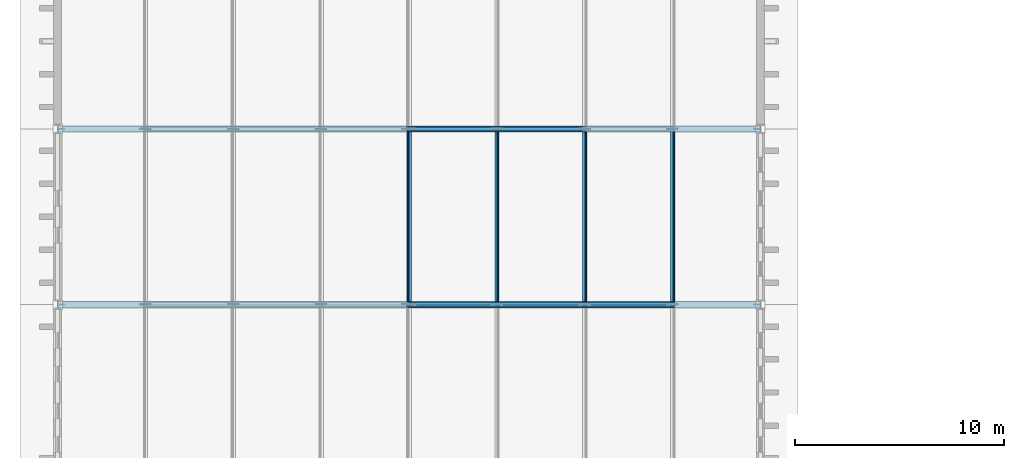
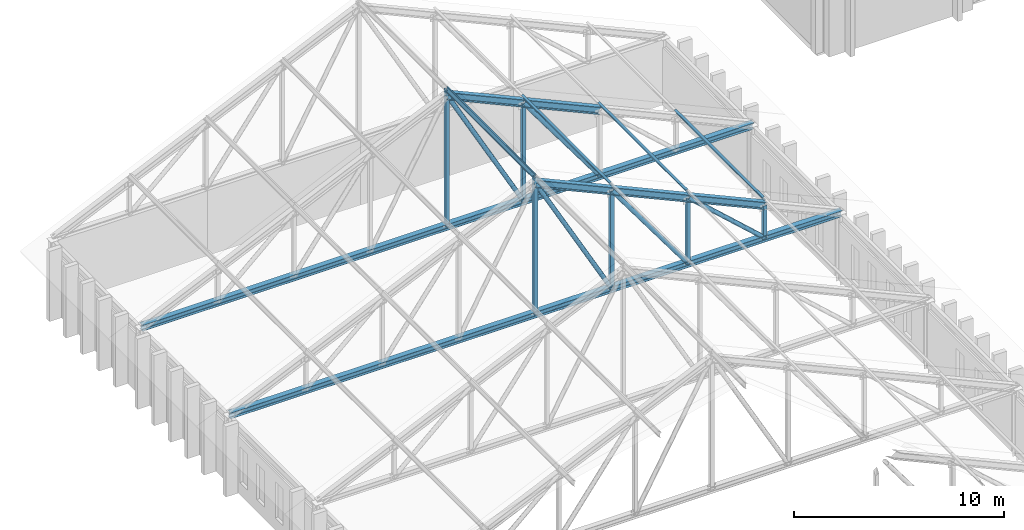
# One storey, part 23 of 110: 22 members.
"""IFC4 building model written with IfcOpenShell, lengths in metres."""

import ifcopenshell
import ifcopenshell.guid

model = None  # the IFC model being written
_history = None  # IfcOwnerHistory: only IFC2X3 demands one
_inside = {}  # id of a spatial element -> (the spatial element, [elements in it])
_under = {}  # id of a project, library or spatial element -> (it, [spatial elements below it])
_declared = {}  # id of a project -> (the project, [libraries it declares])
_typed = {}  # id of a type object -> (the type object, [elements of that type])
_made_of = {}  # id of a material, layer set ... -> (it, [elements and type objects made of it])


def new_model(schema):
    """Start an empty IFC model of exactly this schema.

    Asked for "IFC4X3", IfcOpenShell would pick the latest addendum, in which some entities
    have other attributes; the version numbers below select the first issue.
    IFC2X3 requires an IfcOwnerHistory on every rooted entity: one is made here for all.
    """
    global model, _history
    if schema == "IFC4X3":
        model = ifcopenshell.file(schema_version=(4, 3, 0, 0))
    else:
        model = ifcopenshell.file(schema=schema)
    _inside.clear()
    _under.clear()
    _declared.clear()
    _typed.clear()
    _made_of.clear()
    _history = None
    if model.schema == "IFC2X3":
        org = make("IfcOrganization", Name="unknown")
        user = make(
            "IfcPersonAndOrganization",
            ThePerson=make("IfcPerson", FamilyName="unknown"),
            TheOrganization=org,
        )
        app = make(
            "IfcApplication",
            ApplicationDeveloper=org,
            Version="unknown",
            ApplicationFullName="unknown",
            ApplicationIdentifier="unknown",
        )
        _history = make(
            "IfcOwnerHistory",
            OwningUser=user,
            OwningApplication=app,
            ChangeAction="ADDED",
            CreationDate=0,
        )
    return model


def make(cls, **values):
    """One entity of the class cls with the attributes given. An attribute that is None is left unset."""
    return model.create_entity(
        cls, **{name: value for name, value in values.items() if value is not None}
    )


def rooted(cls, **values):
    """An entity with a GlobalId (a new one), such as an element, a storey or a relation."""
    return make(cls, GlobalId=ifcopenshell.guid.new(), OwnerHistory=_history, **values)


def si_unit(unit_type, name, prefix=None):
    """IfcSIUnit, for example si_unit("LENGTHUNIT", "METRE", prefix="MILLI")."""
    return make("IfcSIUnit", UnitType=unit_type, Prefix=prefix, Name=name)


def assignment(units):
    """IfcUnitAssignment: the units of a project."""
    return None if units is None else make("IfcUnitAssignment", Units=units)


def point(xyz):
    """IfcCartesianPoint."""
    return None if xyz is None else make("IfcCartesianPoint", Coordinates=xyz)


def direction(xyz):
    """IfcDirection."""
    return None if xyz is None else make("IfcDirection", DirectionRatios=xyz)


def frame(location, z_axis=None, x_axis=None):
    """IfcAxis2Placement3D, a coordinate frame: its origin and axes. An axis left out is left unset."""
    return make(
        "IfcAxis2Placement3D",
        Location=point(location),
        Axis=direction(z_axis),
        RefDirection=direction(x_axis),
    )


def frame_2d(location, x_axis=None):
    """IfcAxis2Placement2D, a coordinate frame in the plane: its origin and x axis."""
    return make(
        "IfcAxis2Placement2D", Location=point(location), RefDirection=direction(x_axis)
    )


def origin():
    """The frame at (0, 0, 0) with its axes left unset."""
    return frame((0.0, 0.0, 0.0))


def origin_2d():
    """The frame at (0, 0) in the plane with its x axis left unset."""
    return frame_2d((0.0, 0.0))


def place(relative_to, where):
    """IfcLocalPlacement: puts the frame where relative to a parent placement (None: the world)."""
    return make(
        "IfcLocalPlacement", PlacementRelTo=relative_to, RelativePlacement=where
    )


def context(
    kind, dimensions, precision=None, world=None, true_north=None, identifier=None
):
    """IfcGeometricRepresentationContext, for example the 3D "Model" context."""
    return make(
        "IfcGeometricRepresentationContext",
        ContextIdentifier=identifier,
        ContextType=kind,
        CoordinateSpaceDimension=dimensions,
        Precision=precision,
        WorldCoordinateSystem=world,
        TrueNorth=true_north,
    )


def subcontext(parent, identifier, kind, view, scale=None):
    """IfcGeometricRepresentationSubContext, for example "Body" below "Model"."""
    return make(
        "IfcGeometricRepresentationSubContext",
        ContextIdentifier=identifier,
        ContextType=kind,
        ParentContext=parent,
        TargetScale=scale,
        TargetView=view,
    )


def project(units=None, contexts=None):
    """IfcProject with its units and contexts."""
    return rooted(
        "IfcProject",
        Name="project",
        RepresentationContexts=contexts,
        UnitsInContext=assignment(units),
    )


def spatial(cls, under=None, at=None, **own):
    """A site, building, storey or space (cls), placed at a placement, below another one or the project."""
    s = rooted(cls, ObjectPlacement=at, **own)
    if under is not None:
        _under.setdefault(under.id(), (under, []))[1].append(s)
    return s


def profile(cls, at=None, kind="AREA", **sizes):
    """A parametric profile (cls). Its sizes go by their IFC names, for example OverallWidth=200.0."""
    return make(cls, ProfileType=kind, Position=at, **sizes)


def hollow_rectangle(**sizes):
    """IfcRectangleHollowProfileDef."""
    return profile("IfcRectangleHollowProfileDef", **sizes)


def hollow_circle(**sizes):
    """IfcCircleHollowProfileDef."""
    return profile("IfcCircleHollowProfileDef", **sizes)


def i_section(**sizes):
    """IfcIShapeProfileDef."""
    return profile("IfcIShapeProfileDef", **sizes)


def extrude(swept, where, along, depth):
    """IfcExtrudedAreaSolid: the profile swept, set in the frame where, extruded along a direction by depth."""
    return make(
        "IfcExtrudedAreaSolid",
        SweptArea=swept,
        Position=where,
        ExtrudedDirection=direction(along),
        Depth=depth,
    )


def shape(context_of_items, identifier, shape_type, items):
    """IfcShapeRepresentation: the items that make up one representation, for example the "Body"."""
    return make(
        "IfcShapeRepresentation",
        ContextOfItems=context_of_items,
        RepresentationIdentifier=identifier,
        RepresentationType=shape_type,
        Items=items,
    )


def material(Name=None, Category=None):
    """IfcMaterial."""
    return make("IfcMaterial", Name=Name, Category=Category)


def material_profile(
    of_material, cross_section, Name=None, Category=None, Priority=None
):
    """IfcMaterialProfile: a cross section and its material."""
    return make(
        "IfcMaterialProfile",
        Name=Name,
        Material=of_material,
        Profile=cross_section,
        Priority=Priority,
        Category=Category,
    )


def profile_set(profiles, Name=None, composite=None):
    """IfcMaterialProfileSet."""
    return make(
        "IfcMaterialProfileSet",
        Name=Name,
        MaterialProfiles=profiles,
        CompositeProfile=composite,
    )


def made_of(thing, what):
    """Note that an element or type object is made of a material, layer set ...; save() writes the relation."""
    if what is not None:
        _made_of.setdefault(what.id(), (what, []))[1].append(thing)
    return thing


def type_object(cls, material=None, **own):
    """A type object (cls), such as IfcWallType, which elements share."""
    return made_of(rooted(cls, **own), material)


def element(
    cls,
    number,
    at=None,
    inside=None,
    cuts=None,
    type_object=None,
    material=None,
    context=None,
    identifier="Body",
    shape_type=None,
    held_by="IfcProductDefinitionShape",
    body=None,
    shapes=None,
    **own,
):
    """One element of the class cls, such as IfcWall. Its Tag is "e" and its number.

    at: its placement. inside: the storey or other place that contains it. cuts: it is an
    opening in that element (IfcRelVoidsElement). A single representation is given by context,
    identifier, shape_type and body (its items); several are given by shapes. held_by: the class
    of the entity that holds the representations. save() writes the other relations.
    """
    e = rooted(cls, Tag="e%d" % number, ObjectPlacement=at, **own)
    if body is not None:
        shapes = [shape(context, identifier, shape_type, body)]
    if shapes is not None:
        e.Representation = make(held_by, Representations=shapes)
    if inside is not None:
        _inside.setdefault(inside.id(), (inside, []))[1].append(e)
    if cuts is not None:
        rooted(
            "IfcRelVoidsElement", RelatingBuildingElement=cuts, RelatedOpeningElement=e
        )
    if type_object is not None:
        _typed.setdefault(type_object.id(), (type_object, []))[1].append(e)
    return made_of(e, material)


def aggregate(whole, parts):
    """IfcRelAggregates: a whole, such as a stair, and the parts it consists of."""
    return rooted("IfcRelAggregates", RelatingObject=whole, RelatedObjects=parts)


def save(model, path):
    """Write the relations noted so far, then the file.

    IfcRelAggregates (storeys below a building ...), IfcRelContainedInSpatialStructure (elements
    in a storey), IfcRelDefinesByType, IfcRelAssociatesMaterial and IfcRelDeclares: one each for
    every whole, place, type object, material and project.
    """
    for whole, parts in _under.values():
        aggregate(whole, parts)
    for where, things in _inside.values():
        rooted(
            "IfcRelContainedInSpatialStructure",
            RelatedElements=things,
            RelatingStructure=where,
        )
    for kind, things in _typed.values():
        rooted("IfcRelDefinesByType", RelatedObjects=things, RelatingType=kind)
    for what, things in _made_of.values():
        rooted("IfcRelAssociatesMaterial", RelatedObjects=things, RelatingMaterial=what)
    for by, libraries in _declared.values():
        rooted("IfcRelDeclares", RelatingContext=by, RelatedDefinitions=libraries)
    model.write(path)


model = new_model("IFC4")

# Units and contexts
model_context = context("Model", 3, precision=1e-05, world=origin(), true_north=direction((0.0, 1.0)))
body_context = subcontext(model_context, "Body", "Model", "MODEL_VIEW")
ifc_project = project(units=[si_unit("LENGTHUNIT", "METRE"), si_unit("AREAUNIT", "SQUARE_METRE"), si_unit("VOLUMEUNIT", "CUBIC_METRE"), si_unit("PLANEANGLEUNIT", "RADIAN"), si_unit("MASSUNIT", "GRAM", prefix="KILO")], contexts=[model_context])

# Site, building, storey
site_placement = place(None, origin())
site = spatial("IfcSite", under=ifc_project, at=site_placement, CompositionType="ELEMENT")
building_placement = place(site_placement, origin())
building = spatial("IfcBuilding", under=site, at=building_placement, Name="Kveldsbrygga Polytechnic", CompositionType="ELEMENT")
storey_placement = place(building_placement, frame((0.0, 0.0, 9.860107421875)))
storey = spatial("IfcBuildingStorey", under=building, at=storey_placement, Name="L02", CompositionType="ELEMENT", Elevation=9.860107421875)

# Members
ifc_material = material(Name="Steel S355", Category="steel")
ifc_material_profile_1 = material_profile(ifc_material, i_section(OverallWidth=0.1201171875, OverallDepth=0.239990234375, WebThickness=0.006103515625, FlangeThickness=0.009765625, FilletRadius=0.014892578125, at=origin_2d()), Name="IPE 240")
ifc_profile_set_1 = profile_set([ifc_material_profile_1], Name="Steel S355")
member_type_1 = type_object("IfcMemberType", Name="PRL-IPE240", PredefinedType="PURLIN", material=ifc_profile_set_1)
for number, where, z_axis, x_axis, name in (
    (1, (16.800048828125, 67.199951171875, 11.731201171875), (0.0, 1.0, 0.0), (-0.911107850446, 0.0, 0.41216802988), "Roof Purlin V1W-PRL-6-4"),
    (2, (21.0, 67.199951171875, 9.8310546875), (0.0, 1.0, 0.0), (-0.911107850446, 0.0, -0.41216802988), "Roof Purlin V1W-PRL-6-5"),
    (3, (25.199951171875, 67.199951171875, 7.93115234375), (0.0, 1.0, 0.0), (-0.911107850446, 0.0, -0.41216802988), "Roof Purlin V1W-PRL-6-6"),
    (4, (29.39990234375, 67.199951171875, 6.031005859375), (0.0, 1.0, 0.0), (-0.911107850446, 0.0, -0.41216802988), "Roof Purlin V1W-PRL-6-7"),
):
    element("IfcMember", number, at=place(storey_placement, frame(where, z_axis=z_axis, x_axis=x_axis)), inside=storey, type_object=member_type_1, Name=name, PredefinedType="PURLIN", context=body_context, shape_type="SweptSolid", body=[
        extrude(i_section(OverallWidth=0.1201171875, OverallDepth=0.239990234375, WebThickness=0.006103515625, FlangeThickness=0.009765625, FilletRadius=0.014892578125, at=origin_2d()), origin(), (0.0, 0.0, 1.0), 8.400146484375),
    ])
ifc_material_profile_2 = material_profile(ifc_material, i_section(OverallWidth=0.300048828125, OverallDepth=0.35009765625, WebThickness=0.010009765625, FlangeThickness=0.017578125, FilletRadius=0.027099609375, at=origin_2d()), Name="HEA 360")
ifc_profile_set_2 = profile_set([ifc_material_profile_2], Name="Steel S355")
member_type_2 = type_object("IfcMemberType", Name="TR-BOT-HEA360", PredefinedType="CHORD", material=ifc_profile_set_2)
for number, where, z_axis, x_axis, name in (
    (5, (0.0, 67.199951171875, 3.77978515625), (1.0, 0.0, 0.0), (0.0, 1.0, 0.0), "Truss Bottom Chord V1W-T06-BC-1"),
    (6, (0.0, 75.60009765625, 3.77978515625), (1.0, 0.0, 0.0), (0.0, 1.0, 0.0), "Truss Bottom Chord V1W-T07-BC-1"),
):
    element("IfcMember", number, at=place(storey_placement, frame(where, z_axis=z_axis, x_axis=x_axis)), inside=storey, type_object=member_type_2, Name=name, PredefinedType="CHORD", context=body_context, shape_type="SweptSolid", body=[
        extrude(i_section(OverallWidth=0.300048828125, OverallDepth=0.35009765625, WebThickness=0.010009765625, FlangeThickness=0.017578125, FilletRadius=0.027099609375, at=origin_2d()), origin(), (0.0, 0.0, 1.0), 33.60009765625),
    ])
ifc_material_profile_3 = material_profile(ifc_material, hollow_circle(Radius=0.122314453125, WallThickness=0.012451171875, at=origin_2d()), Name="CHS 244.5x12.5")
ifc_profile_set_3 = profile_set([ifc_material_profile_3], Name="Steel S355")
member_type_3 = type_object("IfcMemberType", Name="TR-DIAG-CHS245", PredefinedType="BRACE", material=ifc_profile_set_3)
member_1_placement = place(storey_placement, frame((16.800048828125, 67.199951171875, 11.3798828125), z_axis=(0.483677042996, 0.0, -0.875246547025), x_axis=(0.0, 1.0, 0.0)))
element("IfcMember", 7, at=member_1_placement, inside=storey, type_object=member_type_3, Name="Truss Diagonal V1W-T06-DG-5", PredefinedType="BRACE", context=body_context, shape_type="SweptSolid", body=[
    extrude(hollow_circle(Radius=0.122314453125, WallThickness=0.012451171875, at=origin_2d()), origin(), (0.0, 0.0, 1.0), 8.683349609375),
])
member_2_placement = place(storey_placement, frame((21.0, 67.199951171875, 9.47998046875), z_axis=(0.593181394885, 0.0, -0.805068837282), x_axis=(0.0, 1.0, 0.0)))
element("IfcMember", 8, at=member_2_placement, inside=storey, type_object=member_type_3, Name="Truss Diagonal V1W-T06-DG-6", PredefinedType="BRACE", context=body_context, shape_type="SweptSolid", body=[
    extrude(hollow_circle(Radius=0.122314453125, WallThickness=0.012451171875, at=origin_2d()), origin(), (0.0, 0.0, 1.0), 7.080322265625),
])
member_3_placement = place(storey_placement, frame((25.199951171875, 67.199951171875, 7.579833984375), z_axis=(0.741527609628, 0.0, -0.670922353302), x_axis=(0.0, 1.0, 0.0)))
element("IfcMember", 9, at=member_3_placement, inside=storey, type_object=member_type_3, Name="Truss Diagonal V1W-T06-DG-7", PredefinedType="BRACE", context=body_context, shape_type="SweptSolid", body=[
    extrude(hollow_circle(Radius=0.122314453125, WallThickness=0.012451171875, at=origin_2d()), origin(), (0.0, 0.0, 1.0), 5.663818359375),
])
member_4_placement = place(storey_placement, frame((16.800048828125, 75.60009765625, 11.3798828125), z_axis=(0.483677042996, 0.0, -0.875246547025), x_axis=(0.0, 1.0, 0.0)))
element("IfcMember", 10, at=member_4_placement, inside=storey, type_object=member_type_3, Name="Truss Diagonal V1W-T07-DG-5", PredefinedType="BRACE", context=body_context, shape_type="SweptSolid", body=[
    extrude(hollow_circle(Radius=0.122314453125, WallThickness=0.012451171875, at=origin_2d()), origin(), (0.0, 0.0, 1.0), 8.683349609375),
])
member_5_placement = place(storey_placement, frame((21.0, 75.60009765625, 9.47998046875), z_axis=(0.593181394885, 0.0, -0.805068837282), x_axis=(0.0, 1.0, 0.0)))
element("IfcMember", 11, at=member_5_placement, inside=storey, type_object=member_type_3, Name="Truss Diagonal V1W-T07-DG-6", PredefinedType="BRACE", context=body_context, shape_type="SweptSolid", body=[
    extrude(hollow_circle(Radius=0.122314453125, WallThickness=0.012451171875, at=origin_2d()), origin(), (0.0, 0.0, 1.0), 7.080322265625),
])
ifc_material_profile_4 = material_profile(ifc_material, hollow_rectangle(XDim=0.199951171875, YDim=0.199951171875, WallThickness=0.012451171875, at=origin_2d()), Name="SHS 200x200x12.5")
ifc_profile_set_4 = profile_set([ifc_material_profile_4], Name="Steel S355")
member_type_4 = type_object("IfcMemberType", Name="TR-POST-SHS200", PredefinedType="STRUT", material=ifc_profile_set_4)
member_6_placement = place(storey_placement, frame((16.800048828125, 67.199951171875, 3.77978515625), z_axis=(0.0, 0.0, 1.0), x_axis=(1.0, 0.0, 0.0)))
element("IfcMember", 12, at=member_6_placement, inside=storey, type_object=member_type_4, Name="Truss Vertical V1W-T06-VT-4", PredefinedType="STRUT", context=body_context, shape_type="SweptSolid", body=[
    extrude(hollow_rectangle(XDim=0.199951171875, YDim=0.199951171875, WallThickness=0.012451171875, at=origin_2d()), origin(), (0.0, 0.0, 1.0), 7.951416015625),
])
member_7_placement = place(storey_placement, frame((21.0, 67.199951171875, 3.77978515625), z_axis=(0.0, 0.0, 1.0), x_axis=(1.0, 0.0, 0.0)))
element("IfcMember", 13, at=member_7_placement, inside=storey, type_object=member_type_4, Name="Truss Vertical V1W-T06-VT-5", PredefinedType="STRUT", context=body_context, shape_type="SweptSolid", body=[
    extrude(hollow_rectangle(XDim=0.199951171875, YDim=0.199951171875, WallThickness=0.012451171875, at=origin_2d()), origin(), (0.0, 0.0, 1.0), 5.7001953125),
])
member_8_placement = place(storey_placement, frame((25.199951171875, 67.199951171875, 3.77978515625), z_axis=(0.0, 0.0, 1.0), x_axis=(1.0, 0.0, 0.0)))
element("IfcMember", 14, at=member_8_placement, inside=storey, type_object=member_type_4, Name="Truss Vertical V1W-T06-VT-6", PredefinedType="STRUT", context=body_context, shape_type="SweptSolid", body=[
    extrude(hollow_rectangle(XDim=0.199951171875, YDim=0.199951171875, WallThickness=0.012451171875, at=origin_2d()), origin(), (0.0, 0.0, 1.0), 3.800048828125),
])
member_9_placement = place(storey_placement, frame((29.39990234375, 67.199951171875, 3.77978515625), z_axis=(0.0, 0.0, 1.0), x_axis=(1.0, 0.0, 0.0)))
element("IfcMember", 15, at=member_9_placement, inside=storey, type_object=member_type_4, Name="Truss Vertical V1W-T06-VT-7", PredefinedType="STRUT", context=body_context, shape_type="SweptSolid", body=[
    extrude(hollow_rectangle(XDim=0.199951171875, YDim=0.199951171875, WallThickness=0.012451171875, at=origin_2d()), origin(), (0.0, 0.0, 1.0), 1.900146484375),
])
member_10_placement = place(storey_placement, frame((16.800048828125, 75.60009765625, 3.77978515625), z_axis=(0.0, 0.0, 1.0), x_axis=(1.0, 0.0, 0.0)))
element("IfcMember", 16, at=member_10_placement, inside=storey, type_object=member_type_4, Name="Truss Vertical V1W-T07-VT-4", PredefinedType="STRUT", context=body_context, shape_type="SweptSolid", body=[
    extrude(hollow_rectangle(XDim=0.199951171875, YDim=0.199951171875, WallThickness=0.012451171875, at=origin_2d()), origin(), (0.0, 0.0, 1.0), 7.951416015625),
])
member_11_placement = place(storey_placement, frame((21.0, 75.60009765625, 3.77978515625), z_axis=(0.0, 0.0, 1.0), x_axis=(1.0, 0.0, 0.0)))
element("IfcMember", 17, at=member_11_placement, inside=storey, type_object=member_type_4, Name="Truss Vertical V1W-T07-VT-5", PredefinedType="STRUT", context=body_context, shape_type="SweptSolid", body=[
    extrude(hollow_rectangle(XDim=0.199951171875, YDim=0.199951171875, WallThickness=0.012451171875, at=origin_2d()), origin(), (0.0, 0.0, 1.0), 5.7001953125),
])
ifc_material_profile_5 = material_profile(ifc_material, i_section(OverallWidth=0.300048828125, OverallDepth=0.39990234375, WebThickness=0.013427734375, FlangeThickness=0.02392578125, FilletRadius=0.027099609375, at=origin_2d()), Name="HEB 400")
ifc_profile_set_5 = profile_set([ifc_material_profile_5], Name="Steel S355")
member_type_5 = type_object("IfcMemberType", Name="TR-TOP-HEB400", PredefinedType="CHORD", material=ifc_profile_set_5)
member_12_placement = place(storey_placement, frame((16.800048828125, 67.199951171875, 11.3798828125), z_axis=(0.91111407885, 0.0, -0.41215426156), x_axis=(0.0, 1.0, 0.0)))
element("IfcMember", 18, at=member_12_placement, inside=storey, type_object=member_type_5, Name="Truss Top Chord V1W-T06-TC-5", PredefinedType="CHORD", context=body_context, shape_type="SweptSolid", body=[
    extrude(i_section(OverallWidth=0.300048828125, OverallDepth=0.39990234375, WebThickness=0.013427734375, FlangeThickness=0.02392578125, FilletRadius=0.027099609375, at=origin_2d()), origin(), (0.0, 0.0, 1.0), 4.609619140625),
])
member_13_placement = place(storey_placement, frame((21.0, 67.199951171875, 9.47998046875), z_axis=(0.911094189765, 0.0, -0.412198225829), x_axis=(0.0, 1.0, 0.0)))
element("IfcMember", 19, at=member_13_placement, inside=storey, type_object=member_type_5, Name="Truss Top Chord V1W-T06-TC-6", PredefinedType="CHORD", context=body_context, shape_type="SweptSolid", body=[
    extrude(i_section(OverallWidth=0.300048828125, OverallDepth=0.39990234375, WebThickness=0.013427734375, FlangeThickness=0.02392578125, FilletRadius=0.027099609375, at=origin_2d()), origin(), (0.0, 0.0, 1.0), 4.60986328125),
])
for number, where, z_axis, x_axis, name in (
    (20, (25.199951171875, 67.199951171875, 7.579833984375), (0.91111407885, 0.0, -0.41215426156), (0.0, 1.0, 0.0), "Truss Top Chord V1W-T06-TC-7"),
    (21, (16.800048828125, 75.60009765625, 11.3798828125), (0.91111407885, 0.0, -0.41215426156), (0.0, 1.0, 0.0), "Truss Top Chord V1W-T07-TC-5"),
):
    element("IfcMember", number, at=place(storey_placement, frame(where, z_axis=z_axis, x_axis=x_axis)), inside=storey, type_object=member_type_5, Name=name, PredefinedType="CHORD", context=body_context, shape_type="SweptSolid", body=[
        extrude(i_section(OverallWidth=0.300048828125, OverallDepth=0.39990234375, WebThickness=0.013427734375, FlangeThickness=0.02392578125, FilletRadius=0.027099609375, at=origin_2d()), origin(), (0.0, 0.0, 1.0), 4.609619140625),
    ])
member_14_placement = place(storey_placement, frame((21.0, 75.60009765625, 9.47998046875), z_axis=(0.911094189765, 0.0, -0.412198225829), x_axis=(0.0, 1.0, 0.0)))
element("IfcMember", 22, at=member_14_placement, inside=storey, type_object=member_type_5, Name="Truss Top Chord V1W-T07-TC-6", PredefinedType="CHORD", context=body_context, shape_type="SweptSolid", body=[
    extrude(i_section(OverallWidth=0.300048828125, OverallDepth=0.39990234375, WebThickness=0.013427734375, FlangeThickness=0.02392578125, FilletRadius=0.027099609375, at=origin_2d()), origin(), (0.0, 0.0, 1.0), 4.60986328125),
])

save(model, "model.ifc")
